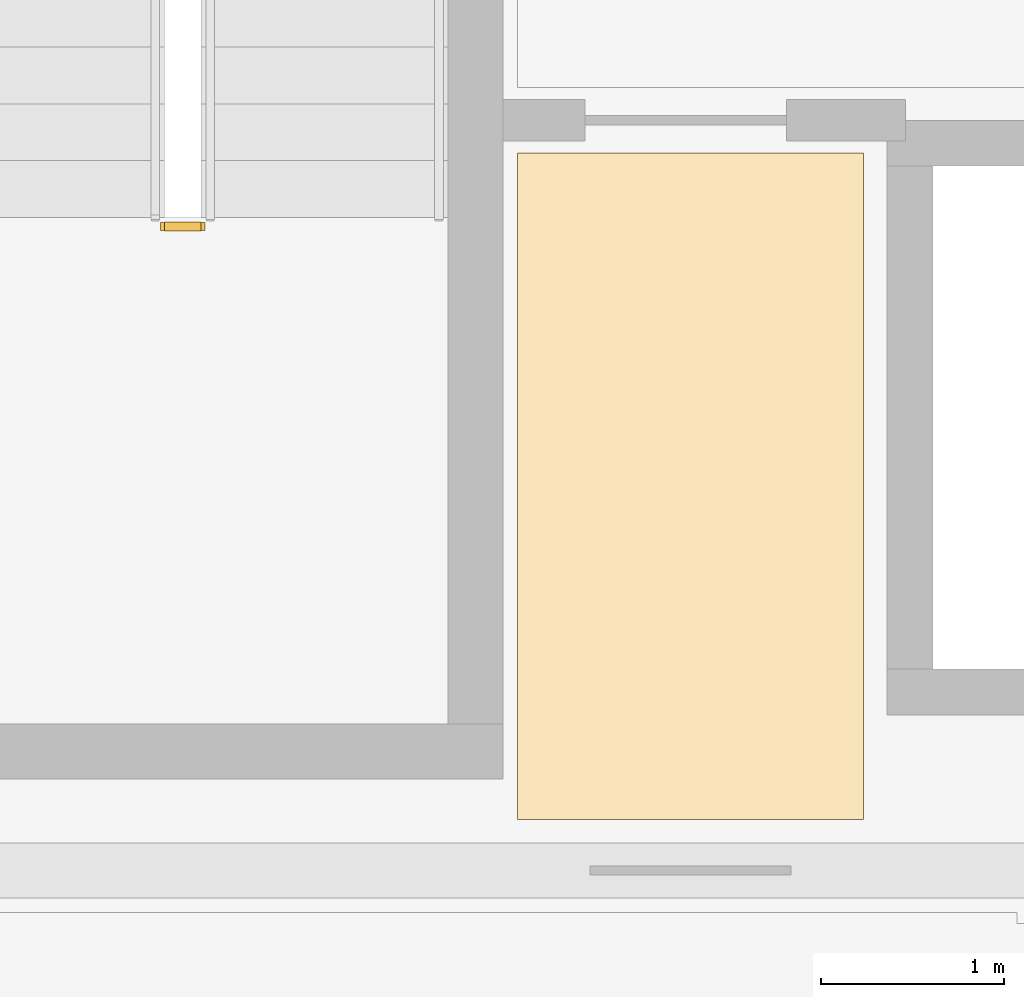
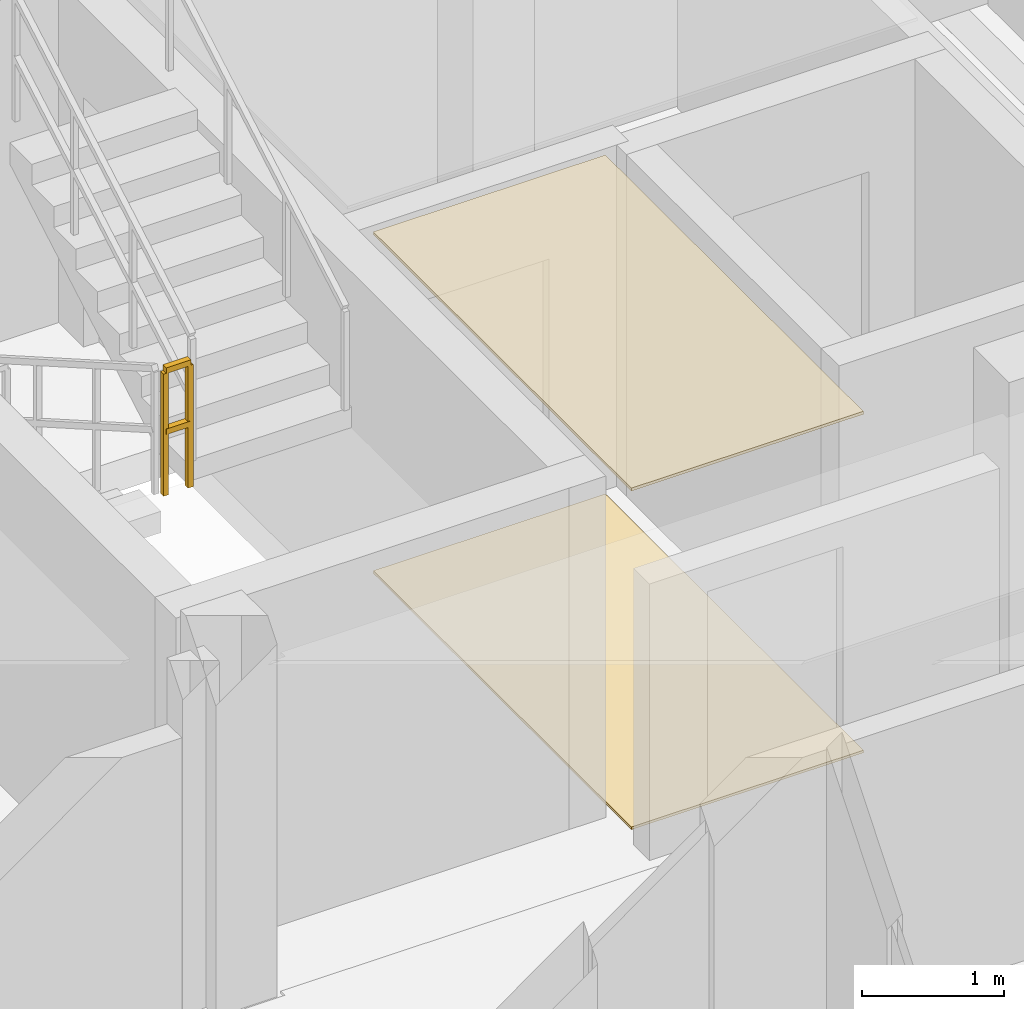
# One storey, part 101 of 109: 2 coverings, 1 railing.
"""IFC4 building model written with IfcOpenShell, lengths in metres."""

from ifc_helpers import new_model, si_unit, direction, frame, origin, origin_2d, place, context, subcontext, project, spatial, polyline, rectangle, outline, extrude, material, layer, layer_set, type_object, element, save


model = new_model("IFC4")

# Units and contexts
model_context = context("Model", 3, precision=1e-05, world=origin(), true_north=direction((0.0, 1.0)))
body_context = subcontext(model_context, "Body", "Model", "MODEL_VIEW")
ifc_project = project(units=[si_unit("LENGTHUNIT", "METRE"), si_unit("AREAUNIT", "SQUARE_METRE"), si_unit("VOLUMEUNIT", "CUBIC_METRE"), si_unit("PLANEANGLEUNIT", "RADIAN"), si_unit("MASSUNIT", "GRAM", prefix="KILO")], contexts=[model_context])

# Site, building, storey
site_placement = place(None, origin())
site = spatial("IfcSite", under=ifc_project, at=site_placement, CompositionType="ELEMENT")
building_placement = place(site_placement, origin())
building = spatial("IfcBuilding", under=site, at=building_placement, Name="Zavelmont Quarter", CompositionType="ELEMENT")
storey_placement = place(building_placement, frame((0.0, 0.0, 8.0)))
storey = spatial("IfcBuildingStorey", under=building, at=storey_placement, Name="L02", CompositionType="ELEMENT", Elevation=8.0)

# Coverings
ifc_material_1 = material(Name="Perforated acoustic gypsum board")
ifc_layer_1 = layer(ifc_material_1, 0.02490234375)
ifc_layer_set_1 = layer_set([ifc_layer_1], Name="Perforated acoustic gypsum board")
covering_type_1 = type_object("IfcCoveringType", Name="CV-CL01", PredefinedType="CEILING", material=ifc_layer_set_1)
covering_1_placement = place(storey_placement, frame((0.0, 0.0, 2.9150390625)))
element("IfcCovering", 1, at=covering_1_placement, inside=storey, type_object=covering_type_1, Name="L02 Lobby Vestibule acoustic ceiling", PredefinedType="CEILING", context=body_context, shape_type="SweptSolid", body=[
    extrude(outline(polyline([(130.47998046875, 14.320068359375), (132.3701171875, 14.320068359375), (132.3701171875, 10.679931640625), (130.47998046875, 10.679931640625), (130.47998046875, 14.320068359375)])), origin(), (0.0, 0.0, 1.0), 0.02490234375),
])
ifc_material_2 = material(Name="Engineered European oak parquet")
ifc_layer_2 = layer(ifc_material_2, 0.02197265625)
ifc_layer_set_2 = layer_set([ifc_layer_2], Name="Engineered European oak parquet")
covering_type_2 = type_object("IfcCoveringType", Name="CV-FL01", PredefinedType="FLOORING", material=ifc_layer_set_2)
covering_2_placement = place(storey_placement, origin())
element("IfcCovering", 2, at=covering_2_placement, inside=storey, type_object=covering_type_2, Name="L02 Lobby Vestibule floor finish", PredefinedType="FLOORING", context=body_context, shape_type="SweptSolid", body=[
    extrude(outline(polyline([(130.47998046875, 14.320068359375), (132.3701171875, 14.320068359375), (132.3701171875, 10.679931640625), (130.47998046875, 10.679931640625), (130.47998046875, 14.320068359375)])), origin(), (0.0, 0.0, 1.0), 0.02197265625),
])

# Railing
ifc_material_3 = material(Name="Powder-coated steel stair guardrail", Category="steel")
railing_type = type_object("IfcRailingType", Name="RL-GRD1", PredefinedType="GUARDRAIL", material=ifc_material_3)
railing_placement = place(storey_placement, frame((128.550048828125, 13.919921875, 1.60009765625)))
element("IfcRailing", 3, at=railing_placement, inside=storey, type_object=railing_type, Name="L02 ST07 stair guardrail 2", PredefinedType="GUARDRAIL", context=body_context, shape_type="SweptSolid", body=[
    extrude(rectangle(XDim=0.048095703125, YDim=0.048095703125, at=origin_2d()), frame((0.0, 0.0, 1.076171875), z_axis=(1.0, 0.0, 0.0), x_axis=(0.0, 1.0, 0.0)), (0.0, 0.0, 1.0), 0.199951171875),
    extrude(rectangle(XDim=0.048095703125, YDim=0.048095703125, at=origin_2d()), frame((0.0, 0.0, 0.550048828125), z_axis=(1.0, 0.0, 0.0), x_axis=(0.0, 1.0, 0.0)), (0.0, 0.0, 1.0), 0.199951171875),
    extrude(rectangle(XDim=0.0419921875, YDim=0.0419921875, at=origin_2d()), origin(), (0.0, 0.0, 1.0), 1.052001953125),
    extrude(rectangle(XDim=0.0419921875, YDim=0.0419921875, at=origin_2d()), frame((0.199951171875, 0.0, 0.0)), (0.0, 0.0, 1.0), 1.052001953125),
])

save(model, "model.ifc")
